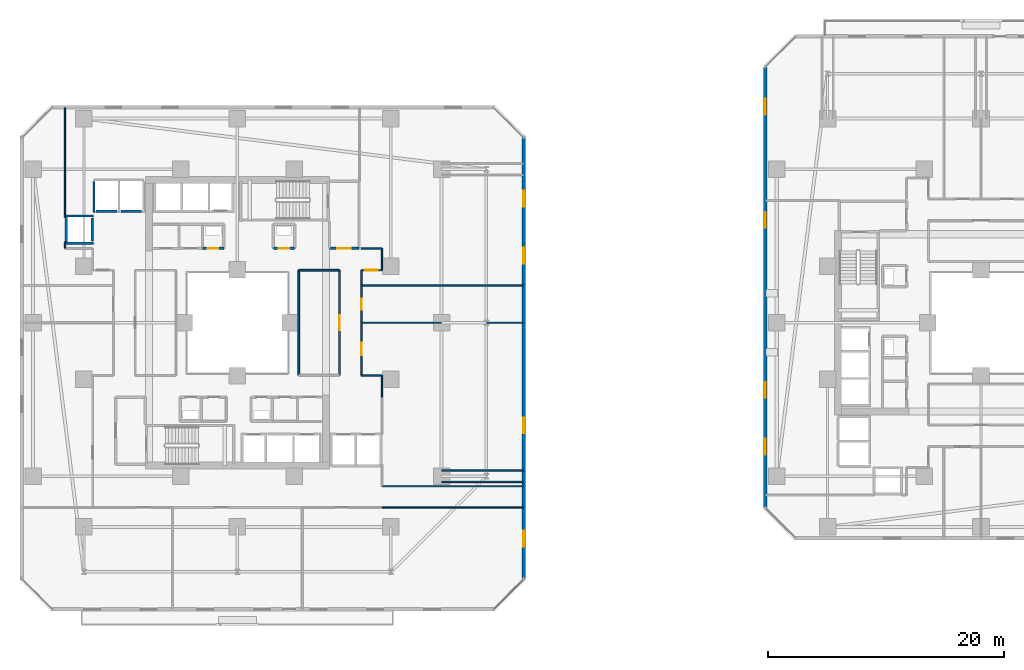
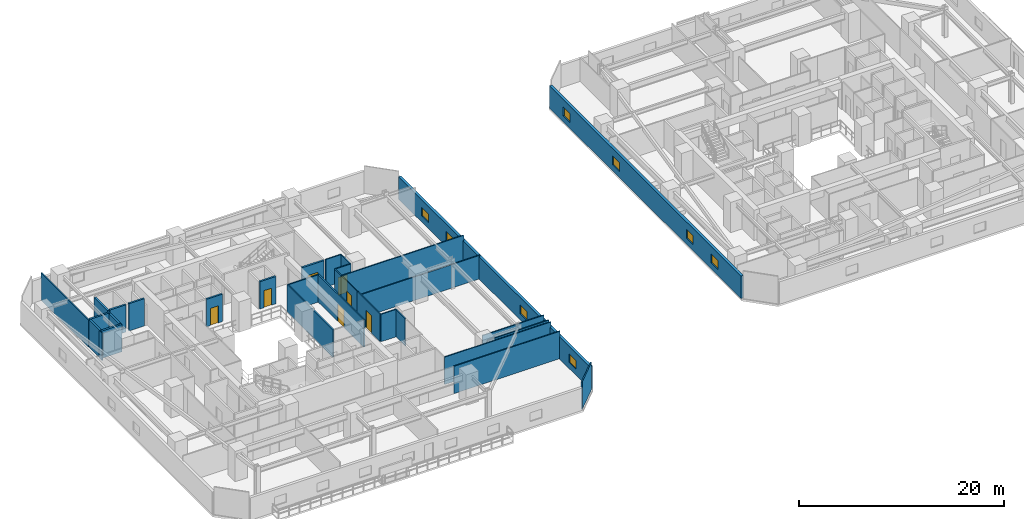
# One storey, part 23 of 36: 32 walls, 8 windows, 7 doors, 15 openings.
"""IFC4 building model written with IfcOpenShell, lengths in metres."""

import ifcopenshell
import ifcopenshell.guid

model = None  # the IFC model being written
_history = None  # IfcOwnerHistory: only IFC2X3 demands one
_inside = {}  # id of a spatial element -> (the spatial element, [elements in it])
_under = {}  # id of a project, library or spatial element -> (it, [spatial elements below it])
_declared = {}  # id of a project -> (the project, [libraries it declares])
_typed = {}  # id of a type object -> (the type object, [elements of that type])
_made_of = {}  # id of a material, layer set ... -> (it, [elements and type objects made of it])


def new_model(schema):
    """Start an empty IFC model of exactly this schema.

    Asked for "IFC4X3", IfcOpenShell would pick the latest addendum, in which some entities
    have other attributes; the version numbers below select the first issue.
    IFC2X3 requires an IfcOwnerHistory on every rooted entity: one is made here for all.
    """
    global model, _history
    if schema == "IFC4X3":
        model = ifcopenshell.file(schema_version=(4, 3, 0, 0))
    else:
        model = ifcopenshell.file(schema=schema)
    _inside.clear()
    _under.clear()
    _declared.clear()
    _typed.clear()
    _made_of.clear()
    _history = None
    if model.schema == "IFC2X3":
        org = make("IfcOrganization", Name="unknown")
        user = make(
            "IfcPersonAndOrganization",
            ThePerson=make("IfcPerson", FamilyName="unknown"),
            TheOrganization=org,
        )
        app = make(
            "IfcApplication",
            ApplicationDeveloper=org,
            Version="unknown",
            ApplicationFullName="unknown",
            ApplicationIdentifier="unknown",
        )
        _history = make(
            "IfcOwnerHistory",
            OwningUser=user,
            OwningApplication=app,
            ChangeAction="ADDED",
            CreationDate=0,
        )
    return model


def make(cls, **values):
    """One entity of the class cls with the attributes given. An attribute that is None is left unset."""
    return model.create_entity(
        cls, **{name: value for name, value in values.items() if value is not None}
    )


def rooted(cls, **values):
    """An entity with a GlobalId (a new one), such as an element, a storey or a relation."""
    return make(cls, GlobalId=ifcopenshell.guid.new(), OwnerHistory=_history, **values)


def si_unit(unit_type, name, prefix=None):
    """IfcSIUnit, for example si_unit("LENGTHUNIT", "METRE", prefix="MILLI")."""
    return make("IfcSIUnit", UnitType=unit_type, Prefix=prefix, Name=name)


def assignment(units):
    """IfcUnitAssignment: the units of a project."""
    return None if units is None else make("IfcUnitAssignment", Units=units)


def point(xyz):
    """IfcCartesianPoint."""
    return None if xyz is None else make("IfcCartesianPoint", Coordinates=xyz)


def direction(xyz):
    """IfcDirection."""
    return None if xyz is None else make("IfcDirection", DirectionRatios=xyz)


def frame(location, z_axis=None, x_axis=None):
    """IfcAxis2Placement3D, a coordinate frame: its origin and axes. An axis left out is left unset."""
    return make(
        "IfcAxis2Placement3D",
        Location=point(location),
        Axis=direction(z_axis),
        RefDirection=direction(x_axis),
    )


def frame_2d(location, x_axis=None):
    """IfcAxis2Placement2D, a coordinate frame in the plane: its origin and x axis."""
    return make(
        "IfcAxis2Placement2D", Location=point(location), RefDirection=direction(x_axis)
    )


def origin():
    """The frame at (0, 0, 0) with its axes left unset."""
    return frame((0.0, 0.0, 0.0))


def place(relative_to, where):
    """IfcLocalPlacement: puts the frame where relative to a parent placement (None: the world)."""
    return make(
        "IfcLocalPlacement", PlacementRelTo=relative_to, RelativePlacement=where
    )


def context(
    kind, dimensions, precision=None, world=None, true_north=None, identifier=None
):
    """IfcGeometricRepresentationContext, for example the 3D "Model" context."""
    return make(
        "IfcGeometricRepresentationContext",
        ContextIdentifier=identifier,
        ContextType=kind,
        CoordinateSpaceDimension=dimensions,
        Precision=precision,
        WorldCoordinateSystem=world,
        TrueNorth=true_north,
    )


def subcontext(parent, identifier, kind, view, scale=None):
    """IfcGeometricRepresentationSubContext, for example "Body" below "Model"."""
    return make(
        "IfcGeometricRepresentationSubContext",
        ContextIdentifier=identifier,
        ContextType=kind,
        ParentContext=parent,
        TargetScale=scale,
        TargetView=view,
    )


def project(units=None, contexts=None):
    """IfcProject with its units and contexts."""
    return rooted(
        "IfcProject",
        Name="project",
        RepresentationContexts=contexts,
        UnitsInContext=assignment(units),
    )


def spatial(cls, under=None, at=None, **own):
    """A site, building, storey or space (cls), placed at a placement, below another one or the project."""
    s = rooted(cls, ObjectPlacement=at, **own)
    if under is not None:
        _under.setdefault(under.id(), (under, []))[1].append(s)
    return s


def profile(cls, at=None, kind="AREA", **sizes):
    """A parametric profile (cls). Its sizes go by their IFC names, for example OverallWidth=200.0."""
    return make(cls, ProfileType=kind, Position=at, **sizes)


def rectangle(**sizes):
    """IfcRectangleProfileDef."""
    return profile("IfcRectangleProfileDef", **sizes)


def extrude(swept, where, along, depth):
    """IfcExtrudedAreaSolid: the profile swept, set in the frame where, extruded along a direction by depth."""
    return make(
        "IfcExtrudedAreaSolid",
        SweptArea=swept,
        Position=where,
        ExtrudedDirection=direction(along),
        Depth=depth,
    )


def shape(context_of_items, identifier, shape_type, items):
    """IfcShapeRepresentation: the items that make up one representation, for example the "Body"."""
    return make(
        "IfcShapeRepresentation",
        ContextOfItems=context_of_items,
        RepresentationIdentifier=identifier,
        RepresentationType=shape_type,
        Items=items,
    )


def material(Name=None, Category=None):
    """IfcMaterial."""
    return make("IfcMaterial", Name=Name, Category=Category)


def layer(
    of_material, thickness, ventilated=None, Name=None, Category=None, Priority=None
):
    """IfcMaterialLayer: one layer of a wall or slab, of a material (None: an air gap)."""
    return make(
        "IfcMaterialLayer",
        Material=of_material,
        LayerThickness=thickness,
        IsVentilated=ventilated,
        Name=Name,
        Category=Category,
        Priority=Priority,
    )


def layer_set(layers, Name=None):
    """IfcMaterialLayerSet."""
    return make("IfcMaterialLayerSet", MaterialLayers=layers, LayerSetName=Name)


def made_of(thing, what):
    """Note that an element or type object is made of a material, layer set ...; save() writes the relation."""
    if what is not None:
        _made_of.setdefault(what.id(), (what, []))[1].append(thing)
    return thing


def type_object(cls, material=None, **own):
    """A type object (cls), such as IfcWallType, which elements share."""
    return made_of(rooted(cls, **own), material)


def element(
    cls,
    number,
    at=None,
    inside=None,
    cuts=None,
    type_object=None,
    material=None,
    context=None,
    identifier="Body",
    shape_type=None,
    held_by="IfcProductDefinitionShape",
    body=None,
    shapes=None,
    **own,
):
    """One element of the class cls, such as IfcWall. Its Tag is "e" and its number.

    at: its placement. inside: the storey or other place that contains it. cuts: it is an
    opening in that element (IfcRelVoidsElement). A single representation is given by context,
    identifier, shape_type and body (its items); several are given by shapes. held_by: the class
    of the entity that holds the representations. save() writes the other relations.
    """
    e = rooted(cls, Tag="e%d" % number, ObjectPlacement=at, **own)
    if body is not None:
        shapes = [shape(context, identifier, shape_type, body)]
    if shapes is not None:
        e.Representation = make(held_by, Representations=shapes)
    if inside is not None:
        _inside.setdefault(inside.id(), (inside, []))[1].append(e)
    if cuts is not None:
        rooted(
            "IfcRelVoidsElement", RelatingBuildingElement=cuts, RelatedOpeningElement=e
        )
    if type_object is not None:
        _typed.setdefault(type_object.id(), (type_object, []))[1].append(e)
    return made_of(e, material)


def fill(opening, filler):
    """IfcRelFillsElement: the door or window that sits in an opening."""
    return rooted(
        "IfcRelFillsElement",
        RelatingOpeningElement=opening,
        RelatedBuildingElement=filler,
    )


def aggregate(whole, parts):
    """IfcRelAggregates: a whole, such as a stair, and the parts it consists of."""
    return rooted("IfcRelAggregates", RelatingObject=whole, RelatedObjects=parts)


def save(model, path):
    """Write the relations noted so far, then the file.

    IfcRelAggregates (storeys below a building ...), IfcRelContainedInSpatialStructure (elements
    in a storey), IfcRelDefinesByType, IfcRelAssociatesMaterial and IfcRelDeclares: one each for
    every whole, place, type object, material and project.
    """
    for whole, parts in _under.values():
        aggregate(whole, parts)
    for where, things in _inside.values():
        rooted(
            "IfcRelContainedInSpatialStructure",
            RelatedElements=things,
            RelatingStructure=where,
        )
    for kind, things in _typed.values():
        rooted("IfcRelDefinesByType", RelatedObjects=things, RelatingType=kind)
    for what, things in _made_of.values():
        rooted("IfcRelAssociatesMaterial", RelatedObjects=things, RelatingMaterial=what)
    for by, libraries in _declared.values():
        rooted("IfcRelDeclares", RelatingContext=by, RelatedDefinitions=libraries)
    model.write(path)


model = new_model("IFC4")

# Units and contexts
model_context = context("Model", 3, precision=1e-05, world=origin(), true_north=direction((0.0, 1.0)))
body_context = subcontext(model_context, "Body", "Model", "MODEL_VIEW")
ifc_project = project(units=[si_unit("LENGTHUNIT", "METRE"), si_unit("AREAUNIT", "SQUARE_METRE"), si_unit("VOLUMEUNIT", "CUBIC_METRE"), si_unit("PLANEANGLEUNIT", "RADIAN"), si_unit("MASSUNIT", "GRAM", prefix="KILO")], contexts=[model_context])

# Site, building, storey
site_placement = place(None, origin())
site = spatial("IfcSite", under=ifc_project, at=site_placement, CompositionType="ELEMENT")
building_placement = place(site_placement, origin())
building = spatial("IfcBuilding", under=site, at=building_placement, Name="Thornwick Lancets Civic Towers", CompositionType="ELEMENT")
storey_placement = place(building_placement, frame((0.0, 0.0, 68.10009765625)))
storey = spatial("IfcBuildingStorey", under=building, at=storey_placement, Name="L17", CompositionType="ELEMENT", Elevation=68.10009765625)

# Walls
ifc_material_1 = material(Name="Concrete blockwork C40/50", Category="masonry")
ifc_layer_1 = layer(ifc_material_1, 0.199951171875, Name="Concrete blockwork C40/50")
ifc_layer_set_1 = layer_set([ifc_layer_1], Name="Concrete blockwork C40/50")
wall_type_1 = type_object("IfcWallType", Name="WALL_COMP_200", PredefinedType="STANDARD", material=ifc_layer_set_1)
wall_1_placement = place(storey_placement, frame((17.3701171875, 36.449951171875, 0.0), z_axis=(0.0, 0.0, 1.0), x_axis=(-1.0, 0.0, 0.0)))
element("IfcWall", 1, at=wall_1_placement, inside=storey, type_object=wall_type_1, Name="L17 Hoistway Front Wall PL-AM1", PredefinedType="STANDARD", context=body_context, shape_type="SweptSolid", body=[
    extrude(rectangle(XDim=1.740234375, YDim=0.199951171875, at=frame_2d((0.8701171875, 0.0))), origin(), (0.0, 0.0, 1.0), 3.260009765625),
])
wall_2_placement = place(storey_placement, frame((15.320068359375, 36.449951171875, 0.0), z_axis=(0.0, 0.0, 1.0), x_axis=(-1.0, 0.0, 0.0)))
element("IfcWall", 2, at=wall_2_placement, inside=storey, type_object=wall_type_1, Name="L17 Hoistway Front Wall PL-AM2", PredefinedType="STANDARD", context=body_context, shape_type="SweptSolid", body=[
    extrude(rectangle(XDim=1.7900390625, YDim=0.199951171875, at=frame_2d((0.89501953125, 0.0))), origin(), (0.0, 0.0, 1.0), 3.260009765625),
])
wall_3_placement = place(storey_placement, frame((13.199951171875, 33.929931640625, 0.0), z_axis=(0.0, 0.0, 1.0), x_axis=(0.0, 1.0, 0.0)))
element("IfcWall", 3, at=wall_3_placement, inside=storey, type_object=wall_type_1, Name="L17 Hoistway Front Wall PL-AM3", PredefinedType="STANDARD", context=body_context, shape_type="SweptSolid", body=[
    extrude(rectangle(XDim=1.940185546875, YDim=0.199951171875, at=frame_2d((0.97021484375, 0.0))), origin(), (0.0, 0.0, 1.0), 3.260009765625),
])
wall_4_placement = place(storey_placement, frame((13.35009765625, 36.35205078125, 0.0), z_axis=(0.0, 0.0, 1.0), x_axis=(0.0, 1.0, 0.0)))
element("IfcWall", 4, at=wall_4_placement, inside=storey, type_object=wall_type_1, Name="L17 Hoistway Shaft Wall PL-AM2 W", PredefinedType="STANDARD", context=body_context, shape_type="SweptSolid", body=[
    extrude(rectangle(XDim=2.635986328125, YDim=0.199951171875, at=frame_2d((1.31787109375, 0.0))), origin(), (0.0, 0.0, 1.0), 3.260009765625),
])
for number, where, z_axis, x_axis, name in (
    (5, (11.001953125, 36.050048828125, 0.0), (0.0, 0.0, 1.0), (1.0, 0.0, 0.0), "L17 Hoistway Shaft Wall PL-AM3 N"),
    (6, (11.001953125, 33.75, 0.0), (0.0, 0.0, 1.0), (1.0, 0.0, 0.0), "L17 Hoistway Shaft Wall PL-AM3 S"),
):
    element("IfcWall", number, at=place(storey_placement, frame(where, z_axis=z_axis, x_axis=x_axis)), inside=storey, type_object=wall_type_1, Name=name, PredefinedType="STANDARD", context=body_context, shape_type="SweptSolid", body=[
        extrude(rectangle(XDim=2.296142578125, YDim=0.199951171875, at=frame_2d((1.14794921875, 0.0))), origin(), (0.0, 0.0, 1.0), 3.260009765625),
    ])
wall_5_placement = place(storey_placement, frame((11.0, 33.862060546875, 0.0), z_axis=(0.0, 0.0, 1.0), x_axis=(0.0, 1.0, 0.0)))
element("IfcWall", 7, at=wall_5_placement, inside=storey, type_object=wall_type_1, Name="L17 Hoistway Shaft Wall PL-AM3 W", PredefinedType="STANDARD", context=body_context, shape_type="SweptSolid", body=[
    extrude(rectangle(XDim=2.075927734375, YDim=0.199951171875, at=frame_2d((1.0380859375, 0.0))), origin(), (0.0, 0.0, 1.0), 3.260009765625),
])

# Wall, opening, door
wall_6_placement = place(storey_placement, frame((33.300048828125, 33.300048828125, 0.0), z_axis=(0.0, 0.0, 1.0), x_axis=(1.0, 0.0, 0.0)))
wall_6 = element("IfcWall", 8, at=wall_6_placement, inside=storey, type_object=wall_type_1, Name="L17 Partition L17-A-FFLOB2 E1", PredefinedType="STANDARD", context=body_context, shape_type="SweptSolid", body=[
    extrude(rectangle(XDim=2.5, YDim=0.199951171875, at=frame_2d((1.25, 0.0))), origin(), (0.0, 0.0, 1.0), 3.260009765625),
])
opening_1_placement = place(wall_6_placement, frame((0.675048828125, 0.0, 0.0)))
opening_1 = element("IfcOpeningElement", 9, at=opening_1_placement, cuts=wall_6, Name="Opening D-L17-0802", PredefinedType="OPENING", context=body_context, shape_type="SweptSolid", body=[
    extrude(rectangle(XDim=1.14990234375, YDim=2.10009765625, at=frame_2d((0.574951171875, 1.050048828125))), frame((0.0, 0.10986328125, 0.0), z_axis=(0.0, -1.0, 0.0), x_axis=(1.0, 0.0, 0.0)), (0.0, 0.0, 1.0), 0.219970703125),
])
ifc_material_2 = material(Name="Glazed fire-resisting steel", Category="steel")
door_type_1 = type_object("IfcDoorType", Name="DOOR_LOBBY_FD60", OperationType="NOTDEFINED", PredefinedType="DOOR", material=ifc_material_2)
door_1_placement = place(opening_1_placement, origin())
door_1 = element("IfcDoor", 10, at=door_1_placement, inside=storey, type_object=door_type_1, Name="L17 North Firefighting Lobby 2 Door", OperationType="SINGLE_SWING_LEFT", OverallHeight=2.10009765625, OverallWidth=1.14990234375, PredefinedType="DOOR", context=body_context, shape_type="SweptSolid", body=[
    extrude(rectangle(XDim=1.14990234375, YDim=2.10009765625, at=frame_2d((0.574951171875, 1.050048828125))), frame((0.0, 0.02490234375, 0.0), z_axis=(0.0, -1.0, 0.0), x_axis=(1.0, 0.0, 0.0)), (0.0, 0.0, 1.0), 0.050048828125),
])
fill(opening_1, door_1)

wall_7_placement = place(storey_placement, frame((22.550048828125, 33.300048828125, 0.0), z_axis=(0.0, 0.0, 1.0), x_axis=(1.0, 0.0, 0.0)))
wall_7 = element("IfcWall", 11, at=wall_7_placement, inside=storey, type_object=wall_type_1, Name="L17 Partition L17-A-DUCT2 E1", PredefinedType="STANDARD", context=body_context, shape_type="SweptSolid", body=[
    extrude(rectangle(XDim=1.800048828125, YDim=0.199951171875, at=frame_2d((0.89990234375, 0.0))), origin(), (0.0, 0.0, 1.0), 3.260009765625),
])
opening_2_placement = place(wall_7_placement, frame((0.4599609375, 0.0, 0.0)))
opening_2 = element("IfcOpeningElement", 12, at=opening_2_placement, cuts=wall_7, Name="Opening D-L17-0805", PredefinedType="OPENING", context=body_context, shape_type="SweptSolid", body=[
    extrude(rectangle(XDim=0.8798828125, YDim=2.0400390625, at=frame_2d((0.43994140625, 1.02001953125))), frame((0.0, 0.10986328125, 0.0), z_axis=(0.0, -1.0, 0.0), x_axis=(1.0, 0.0, 0.0)), (0.0, 0.0, 1.0), 0.219970703125),
])
ifc_material_3 = material(Name="Steel riser access doorset", Category="steel")
door_type_2 = type_object("IfcDoorType", Name="DOOR_RISER_850", OperationType="NOTDEFINED", PredefinedType="DOOR", material=ifc_material_3)
door_2_placement = place(opening_2_placement, origin())
door_2 = element("IfcDoor", 13, at=door_2_placement, inside=storey, type_object=door_type_2, Name="L17 North Service Duct 2 Door", OperationType="SINGLE_SWING_RIGHT", OverallHeight=2.0400390625, OverallWidth=0.8798828125, PredefinedType="DOOR", context=body_context, shape_type="SweptSolid", body=[
    extrude(rectangle(XDim=0.8798828125, YDim=2.0400390625, at=frame_2d((0.43994140625, 1.02001953125))), frame((0.0, 0.02490234375, 0.0), z_axis=(0.0, -1.0, 0.0), x_axis=(1.0, 0.0, 0.0)), (0.0, 0.0, 1.0), 0.050048828125),
])
fill(opening_2, door_2)

wall_8_placement = place(storey_placement, frame((28.550048828125, 33.300048828125, 0.0), z_axis=(0.0, 0.0, 1.0), x_axis=(1.0, 0.0, 0.0)))
wall_8 = element("IfcWall", 14, at=wall_8_placement, inside=storey, type_object=wall_type_1, Name="L17 Partition L17-A-RISER2 E1", PredefinedType="STANDARD", context=body_context, shape_type="SweptSolid", body=[
    extrude(rectangle(XDim=1.800048828125, YDim=0.199951171875, at=frame_2d((0.89990234375, 0.0))), origin(), (0.0, 0.0, 1.0), 3.260009765625),
])
opening_3_placement = place(wall_8_placement, frame((0.4599609375, 0.0, 0.0)))
opening_3 = element("IfcOpeningElement", 15, at=opening_3_placement, cuts=wall_8, Name="Opening D-L17-0806", PredefinedType="OPENING", context=body_context, shape_type="SweptSolid", body=[
    extrude(rectangle(XDim=0.8798828125, YDim=2.0400390625, at=frame_2d((0.43994140625, 1.02001953125))), frame((0.0, 0.10986328125, 0.0), z_axis=(0.0, -1.0, 0.0), x_axis=(1.0, 0.0, 0.0)), (0.0, 0.0, 1.0), 0.219970703125),
])
door_3_placement = place(opening_3_placement, origin())
door_3 = element("IfcDoor", 16, at=door_3_placement, inside=storey, type_object=door_type_2, Name="L17 North Service Riser 2 Door", OperationType="SINGLE_SWING_LEFT", OverallHeight=2.0400390625, OverallWidth=0.8798828125, PredefinedType="DOOR", context=body_context, shape_type="SweptSolid", body=[
    extrude(rectangle(XDim=0.8798828125, YDim=2.0400390625, at=frame_2d((0.43994140625, 1.02001953125))), frame((0.0, 0.02490234375, 0.0), z_axis=(0.0, -1.0, 0.0), x_axis=(1.0, 0.0, 0.0)), (0.0, 0.0, 1.0), 0.050048828125),
])
fill(opening_3, door_3)

# Wall, openings, windows
ifc_material_4 = material(Name="Insulated russet terracotta rainscreen on concrete C40/50", Category="masonry")
ifc_layer_2 = layer(ifc_material_4, 0.300048828125, Name="Insulated russet terracotta rainscreen on concrete C40/50")
ifc_layer_set_2 = layer_set([ifc_layer_2], Name="Insulated russet terracotta rainscreen on concrete C40/50")
wall_type_2 = type_object("IfcWallType", Name="WALL_EXT_RUSSET_300", PredefinedType="STANDARD", material=ifc_layer_set_2)
wall_9_placement = place(storey_placement, frame((49.764892578125, 5.31884765625, 0.0), z_axis=(0.0, 0.0, 1.0), x_axis=(0.0, 1.0, 0.0)))
wall_9 = element("IfcWall", 17, at=wall_9_placement, inside=storey, type_object=wall_type_2, Name="L17 Tower A Terracotta Facade Wall E2", PredefinedType="STANDARD", context=body_context, shape_type="SweptSolid", body=[
    extrude(rectangle(XDim=37.3623046875, YDim=0.300048828125, at=frame_2d((18.68115234375, 0.0))), origin(), (0.0, 0.0, 1.0), 2.659912109375),
])
opening_4_placement = place(wall_9_placement, frame((2.699951171875, 0.0, 0.719970703125)))
opening_4 = element("IfcOpeningElement", 18, at=opening_4_placement, cuts=wall_9, Name="Opening WL-03", PredefinedType="OPENING", context=body_context, shape_type="SweptSolid", body=[
    extrude(rectangle(XDim=1.35009765625, YDim=1.050048828125, at=frame_2d((0.675048828125, 0.52490234375))), frame((0.0, 0.16015625, 0.0), z_axis=(0.0, -1.0, 0.0), x_axis=(1.0, 0.0, 0.0)), (0.0, 0.0, 1.0), 0.320068359375),
])
opening_5_placement = place(wall_9_placement, frame((12.300048828125, 0.0, 0.719970703125)))
opening_5 = element("IfcOpeningElement", 19, at=opening_5_placement, cuts=wall_9, Name="Opening WL-03", PredefinedType="OPENING", context=body_context, shape_type="SweptSolid", body=[
    extrude(rectangle(XDim=1.35009765625, YDim=1.050048828125, at=frame_2d((0.675048828125, 0.52490234375))), frame((0.0, 0.16015625, 0.0), z_axis=(0.0, -1.0, 0.0), x_axis=(1.0, 0.0, 0.0)), (0.0, 0.0, 1.0), 0.320068359375),
])
opening_6_placement = place(wall_9_placement, frame((26.699951171875, 0.0, 0.719970703125)))
opening_6 = element("IfcOpeningElement", 20, at=opening_6_placement, cuts=wall_9, Name="Opening WL-03", PredefinedType="OPENING", context=body_context, shape_type="SweptSolid", body=[
    extrude(rectangle(XDim=1.35009765625, YDim=1.050048828125, at=frame_2d((0.675048828125, 0.52490234375))), frame((0.0, 0.16015625, 0.0), z_axis=(0.0, -1.0, 0.0), x_axis=(1.0, 0.0, 0.0)), (0.0, 0.0, 1.0), 0.320068359375),
])
opening_7_placement = place(wall_9_placement, frame((31.5, 0.0, 0.719970703125)))
opening_7 = element("IfcOpeningElement", 21, at=opening_7_placement, cuts=wall_9, Name="Opening WL-03", PredefinedType="OPENING", context=body_context, shape_type="SweptSolid", body=[
    extrude(rectangle(XDim=1.35009765625, YDim=1.050048828125, at=frame_2d((0.675048828125, 0.52490234375))), frame((0.0, 0.16015625, 0.0), z_axis=(0.0, -1.0, 0.0), x_axis=(1.0, 0.0, 0.0)), (0.0, 0.0, 1.0), 0.320068359375),
])
ifc_material_5 = material(Name="Clear low-e double glazing clerestory lancet", Category="glass")
window_type = type_object("IfcWindowType", Name="WIN_LANCET_1350", PartitioningType="SINGLE_PANEL", PredefinedType="WINDOW", material=ifc_material_5)
window_1_placement = place(opening_4_placement, origin())
window_1 = element("IfcWindow", 22, at=window_1_placement, inside=storey, type_object=window_type, Name="L17 Tower A Staggered Lancet Window E2-1", OverallHeight=1.050048828125, OverallWidth=1.35009765625, PartitioningType="SINGLE_PANEL", PredefinedType="WINDOW", context=body_context, shape_type="SweptSolid", body=[
    extrude(rectangle(XDim=1.35009765625, YDim=1.050048828125, at=frame_2d((0.675048828125, 0.52490234375))), frame((0.0, 0.030029296875, 0.0), z_axis=(0.0, -1.0, 0.0), x_axis=(1.0, 0.0, 0.0)), (0.0, 0.0, 1.0), 0.06005859375),
])
fill(opening_4, window_1)
window_2_placement = place(opening_5_placement, origin())
window_2 = element("IfcWindow", 23, at=window_2_placement, inside=storey, type_object=window_type, Name="L17 Tower A Staggered Lancet Window E2-2", OverallHeight=1.050048828125, OverallWidth=1.35009765625, PartitioningType="SINGLE_PANEL", PredefinedType="WINDOW", context=body_context, shape_type="SweptSolid", body=[
    extrude(rectangle(XDim=1.35009765625, YDim=1.050048828125, at=frame_2d((0.675048828125, 0.52490234375))), frame((0.0, 0.030029296875, 0.0), z_axis=(0.0, -1.0, 0.0), x_axis=(1.0, 0.0, 0.0)), (0.0, 0.0, 1.0), 0.06005859375),
])
fill(opening_5, window_2)
window_3_placement = place(opening_6_placement, origin())
window_3 = element("IfcWindow", 24, at=window_3_placement, inside=storey, type_object=window_type, Name="L17 Tower A Staggered Lancet Window E2-3", OverallHeight=1.050048828125, OverallWidth=1.35009765625, PartitioningType="SINGLE_PANEL", PredefinedType="WINDOW", context=body_context, shape_type="SweptSolid", body=[
    extrude(rectangle(XDim=1.35009765625, YDim=1.050048828125, at=frame_2d((0.675048828125, 0.52490234375))), frame((0.0, 0.030029296875, 0.0), z_axis=(0.0, -1.0, 0.0), x_axis=(1.0, 0.0, 0.0)), (0.0, 0.0, 1.0), 0.06005859375),
])
fill(opening_6, window_3)
window_4_placement = place(opening_7_placement, origin())
window_4 = element("IfcWindow", 25, at=window_4_placement, inside=storey, type_object=window_type, Name="L17 Tower A Staggered Lancet Window E2-4", OverallHeight=1.050048828125, OverallWidth=1.35009765625, PartitioningType="SINGLE_PANEL", PredefinedType="WINDOW", context=body_context, shape_type="SweptSolid", body=[
    extrude(rectangle(XDim=1.35009765625, YDim=1.050048828125, at=frame_2d((0.675048828125, 0.52490234375))), frame((0.0, 0.030029296875, 0.0), z_axis=(0.0, -1.0, 0.0), x_axis=(1.0, 0.0, 0.0)), (0.0, 0.0, 1.0), 0.06005859375),
])
fill(opening_7, window_4)

wall_10_placement = place(storey_placement, frame((70.235107421875, 48.68115234375, 0.0), z_axis=(0.0, 0.0, 1.0), x_axis=(0.0, -1.0, 0.0)))
wall_10 = element("IfcWall", 26, at=wall_10_placement, inside=storey, type_object=wall_type_2, Name="L17 Tower B Terracotta Facade Wall E6", PredefinedType="STANDARD", context=body_context, shape_type="SweptSolid", body=[
    extrude(rectangle(XDim=37.3623046875, YDim=0.300048828125, at=frame_2d((18.68115234375, 0.0))), origin(), (0.0, 0.0, 1.0), 2.659912109375),
])
opening_8_placement = place(wall_10_placement, frame((2.699951171875, 0.0, 0.719970703125)))
opening_8 = element("IfcOpeningElement", 27, at=opening_8_placement, cuts=wall_10, Name="Opening WL-03", PredefinedType="OPENING", context=body_context, shape_type="SweptSolid", body=[
    extrude(rectangle(XDim=1.35009765625, YDim=1.050048828125, at=frame_2d((0.675048828125, 0.52490234375))), frame((0.0, 0.16015625, 0.0), z_axis=(0.0, -1.0, 0.0), x_axis=(1.0, 0.0, 0.0)), (0.0, 0.0, 1.0), 0.320068359375),
])
opening_9_placement = place(wall_10_placement, frame((12.300048828125, 0.0, 0.719970703125)))
opening_9 = element("IfcOpeningElement", 28, at=opening_9_placement, cuts=wall_10, Name="Opening WL-03", PredefinedType="OPENING", context=body_context, shape_type="SweptSolid", body=[
    extrude(rectangle(XDim=1.35009765625, YDim=1.050048828125, at=frame_2d((0.675048828125, 0.52490234375))), frame((0.0, 0.16015625, 0.0), z_axis=(0.0, -1.0, 0.0), x_axis=(1.0, 0.0, 0.0)), (0.0, 0.0, 1.0), 0.320068359375),
])
opening_10_placement = place(wall_10_placement, frame((26.699951171875, 0.0, 0.719970703125)))
opening_10 = element("IfcOpeningElement", 29, at=opening_10_placement, cuts=wall_10, Name="Opening WL-03", PredefinedType="OPENING", context=body_context, shape_type="SweptSolid", body=[
    extrude(rectangle(XDim=1.35009765625, YDim=1.050048828125, at=frame_2d((0.675048828125, 0.52490234375))), frame((0.0, 0.16015625, 0.0), z_axis=(0.0, -1.0, 0.0), x_axis=(1.0, 0.0, 0.0)), (0.0, 0.0, 1.0), 0.320068359375),
])
opening_11_placement = place(wall_10_placement, frame((31.5, 0.0, 0.719970703125)))
opening_11 = element("IfcOpeningElement", 30, at=opening_11_placement, cuts=wall_10, Name="Opening WL-03", PredefinedType="OPENING", context=body_context, shape_type="SweptSolid", body=[
    extrude(rectangle(XDim=1.35009765625, YDim=1.050048828125, at=frame_2d((0.675048828125, 0.52490234375))), frame((0.0, 0.16015625, 0.0), z_axis=(0.0, -1.0, 0.0), x_axis=(1.0, 0.0, 0.0)), (0.0, 0.0, 1.0), 0.320068359375),
])
window_5_placement = place(opening_8_placement, origin())
window_5 = element("IfcWindow", 31, at=window_5_placement, inside=storey, type_object=window_type, Name="L17 Tower B Staggered Lancet Window E6-1", OverallHeight=1.050048828125, OverallWidth=1.35009765625, PartitioningType="SINGLE_PANEL", PredefinedType="WINDOW", context=body_context, shape_type="SweptSolid", body=[
    extrude(rectangle(XDim=1.35009765625, YDim=1.050048828125, at=frame_2d((0.675048828125, 0.52490234375))), frame((0.0, 0.030029296875, 0.0), z_axis=(0.0, -1.0, 0.0), x_axis=(1.0, 0.0, 0.0)), (0.0, 0.0, 1.0), 0.06005859375),
])
fill(opening_8, window_5)
window_6_placement = place(opening_9_placement, origin())
window_6 = element("IfcWindow", 32, at=window_6_placement, inside=storey, type_object=window_type, Name="L17 Tower B Staggered Lancet Window E6-2", OverallHeight=1.050048828125, OverallWidth=1.35009765625, PartitioningType="SINGLE_PANEL", PredefinedType="WINDOW", context=body_context, shape_type="SweptSolid", body=[
    extrude(rectangle(XDim=1.35009765625, YDim=1.050048828125, at=frame_2d((0.675048828125, 0.52490234375))), frame((0.0, 0.030029296875, 0.0), z_axis=(0.0, -1.0, 0.0), x_axis=(1.0, 0.0, 0.0)), (0.0, 0.0, 1.0), 0.06005859375),
])
fill(opening_9, window_6)
window_7_placement = place(opening_10_placement, origin())
window_7 = element("IfcWindow", 33, at=window_7_placement, inside=storey, type_object=window_type, Name="L17 Tower B Staggered Lancet Window E6-3", OverallHeight=1.050048828125, OverallWidth=1.35009765625, PartitioningType="SINGLE_PANEL", PredefinedType="WINDOW", context=body_context, shape_type="SweptSolid", body=[
    extrude(rectangle(XDim=1.35009765625, YDim=1.050048828125, at=frame_2d((0.675048828125, 0.52490234375))), frame((0.0, 0.030029296875, 0.0), z_axis=(0.0, -1.0, 0.0), x_axis=(1.0, 0.0, 0.0)), (0.0, 0.0, 1.0), 0.06005859375),
])
fill(opening_10, window_7)
window_8_placement = place(opening_11_placement, origin())
window_8 = element("IfcWindow", 34, at=window_8_placement, inside=storey, type_object=window_type, Name="L17 Tower B Staggered Lancet Window E6-4", OverallHeight=1.050048828125, OverallWidth=1.35009765625, PartitioningType="SINGLE_PANEL", PredefinedType="WINDOW", context=body_context, shape_type="SweptSolid", body=[
    extrude(rectangle(XDim=1.35009765625, YDim=1.050048828125, at=frame_2d((0.675048828125, 0.52490234375))), frame((0.0, 0.030029296875, 0.0), z_axis=(0.0, -1.0, 0.0), x_axis=(1.0, 0.0, 0.0)), (0.0, 0.0, 1.0), 0.06005859375),
])
fill(opening_11, window_8)

# Walls
ifc_material_6 = material(Name="Acoustic gypsum board partition")
ifc_layer_3 = layer(ifc_material_6, 0.1201171875, Name="Acoustic gypsum board partition")
ifc_layer_set_3 = layer_set([ifc_layer_3], Name="Acoustic gypsum board partition")
wall_type_3 = type_object("IfcWallType", Name="WALL_PART_120", PredefinedType="PARTITIONING", material=ifc_layer_set_3)
wall_11_placement = place(storey_placement, frame((10.89990234375, 45.219970703125, 0.0), z_axis=(0.0, 0.0, 1.0), x_axis=(0.0, -1.0, 0.0)))
element("IfcWall", 35, at=wall_11_placement, inside=storey, type_object=wall_type_3, Name="L17 Partition L17-A-W3 E9", PredefinedType="PARTITIONING", context=body_context, shape_type="SweptSolid", body=[
    extrude(rectangle(XDim=9.281982421875, YDim=0.1201171875, at=frame_2d((4.64111328125, 0.0))), origin(), (0.0, 0.0, 1.0), 3.260009765625),
])
wall_12_placement = place(storey_placement, frame((10.89990234375, 33.862060546875, 0.0), z_axis=(0.0, 0.0, 1.0), x_axis=(0.0, -1.0, 0.0)))
element("IfcWall", 36, at=wall_12_placement, inside=storey, type_object=wall_type_3, Name="L17 Partition L17-A-W3 E9", PredefinedType="PARTITIONING", context=body_context, shape_type="SweptSolid", body=[
    extrude(rectangle(XDim=0.56201171875, YDim=0.1201171875, at=frame_2d((0.281005859375, 0.0))), origin(), (0.0, 0.0, 1.0), 3.260009765625),
])
wall_13_placement = place(storey_placement, frame((37.75, 20.699951171875, 0.0), z_axis=(0.0, 0.0, 1.0), x_axis=(0.0, 1.0, 0.0)))
element("IfcWall", 37, at=wall_13_placement, inside=storey, type_object=wall_type_3, Name="L17 Partition L17-A-E1 E2", PredefinedType="PARTITIONING", context=body_context, shape_type="SweptSolid", body=[
    extrude(rectangle(XDim=1.85009765625, YDim=0.1201171875, at=frame_2d((0.925048828125, 0.0))), origin(), (0.0, 0.0, 1.0), 3.260009765625),
])
wall_14_placement = place(storey_placement, frame((37.75, 22.550048828125, 0.0), z_axis=(0.0, 0.0, 1.0), x_axis=(-1.0, 0.0, 0.0)))
element("IfcWall", 38, at=wall_14_placement, inside=storey, type_object=wall_type_3, Name="L17 Partition L17-A-E1 E3", PredefinedType="PARTITIONING", context=body_context, shape_type="SweptSolid", body=[
    extrude(rectangle(XDim=1.75, YDim=0.1201171875, at=frame_2d((0.875, 0.0))), origin(), (0.0, 0.0, 1.0), 3.260009765625),
])

# Wall, opening, door
wall_15_placement = place(storey_placement, frame((36.0, 22.550048828125, 0.0), z_axis=(0.0, 0.0, 1.0), x_axis=(0.0, 1.0, 0.0)))
wall_15 = element("IfcWall", 39, at=wall_15_placement, inside=storey, type_object=wall_type_3, Name="L17 Partition L17-A-E1 E4", PredefinedType="PARTITIONING", context=body_context, shape_type="SweptSolid", body=[
    extrude(rectangle(XDim=4.449951171875, YDim=0.1201171875, at=frame_2d((2.22509765625, 0.0))), origin(), (0.0, 0.0, 1.0), 3.260009765625),
])
opening_12_placement = place(wall_15_placement, frame((1.699951171875, 0.0, 0.0)))
opening_12 = element("IfcOpeningElement", 40, at=opening_12_placement, cuts=wall_15, Name="Opening D-L17-0826", PredefinedType="OPENING", context=body_context, shape_type="SweptSolid", body=[
    extrude(rectangle(XDim=1.050048828125, YDim=2.10009765625, at=frame_2d((0.52490234375, 1.050048828125))), frame((0.0, 0.070068359375, 0.0), z_axis=(0.0, -1.0, 0.0), x_axis=(1.0, 0.0, 0.0)), (0.0, 0.0, 1.0), 0.14013671875),
])
ifc_material_7 = material(Name="Glazed European oak executive doorset")
door_type_3 = type_object("IfcDoorType", Name="DOOR_OFFICE_1050", OperationType="NOTDEFINED", PredefinedType="DOOR", material=ifc_material_7)
door_4_placement = place(opening_12_placement, origin())
door_4 = element("IfcDoor", 41, at=door_4_placement, inside=storey, type_object=door_type_3, Name="L17 Tower A Secretariat Open Office E1 Door", OperationType="SINGLE_SWING_LEFT", OverallHeight=2.10009765625, OverallWidth=1.050048828125, PredefinedType="DOOR", context=body_context, shape_type="SweptSolid", body=[
    extrude(rectangle(XDim=1.050048828125, YDim=2.10009765625, at=frame_2d((0.52490234375, 1.050048828125))), frame((0.0, 0.02490234375, 0.0), z_axis=(0.0, -1.0, 0.0), x_axis=(1.0, 0.0, 0.0)), (0.0, 0.0, 1.0), 0.050048828125),
])
fill(opening_12, door_4)

# Walls
wall_16_placement = place(storey_placement, frame((36.0, 27.0, 0.0), z_axis=(0.0, 0.0, 1.0), x_axis=(1.0, 0.0, 0.0)))
element("IfcWall", 42, at=wall_16_placement, inside=storey, type_object=wall_type_3, Name="L17 Partition L17-A-E1 E5", PredefinedType="PARTITIONING", context=body_context, shape_type="SweptSolid", body=[
    extrude(rectangle(XDim=13.719970703125, YDim=0.1201171875, at=frame_2d((6.85986328125, 0.0))), origin(), (0.0, 0.0, 1.0), 2.797607421875),
])
for number, where, z_axis, x_axis, name in (
    (43, (49.719970703125, 14.47998046875, 0.0), (0.0, 0.0, 1.0), (-1.0, 0.0, 0.0), "L17 Partition L17-A-E1 E7"),
    (44, (42.800048828125, 13.52001953125, 0.0), (0.0, 0.0, 1.0), (1.0, 0.0, 0.0), "L17 Partition L17-A-E1 E9"),
):
    element("IfcWall", number, at=place(storey_placement, frame(where, z_axis=z_axis, x_axis=x_axis)), inside=storey, type_object=wall_type_3, Name=name, PredefinedType="PARTITIONING", context=body_context, shape_type="SweptSolid", body=[
        extrude(rectangle(XDim=6.919921875, YDim=0.1201171875, at=frame_2d((3.4599609375, 0.0))), origin(), (0.0, 0.0, 1.0), 3.260009765625),
    ])
wall_17_placement = place(storey_placement, frame((49.719970703125, 13.14990234375, 0.0), z_axis=(0.0, 0.0, 1.0), x_axis=(-1.0, 0.0, 0.0)))
element("IfcWall", 45, at=wall_17_placement, inside=storey, type_object=wall_type_3, Name="L17 Partition L17-A-E1 E11", PredefinedType="PARTITIONING", context=body_context, shape_type="SweptSolid", body=[
    extrude(rectangle(XDim=11.969970703125, YDim=0.1201171875, at=frame_2d((5.98486328125, 0.0))), origin(), (0.0, 0.0, 1.0), 3.260009765625),
])

# Wall, opening, door
wall_18_placement = place(storey_placement, frame((36.0, 27.0, 0.0), z_axis=(0.0, 0.0, 1.0), x_axis=(0.0, 1.0, 0.0)))
wall_18 = element("IfcWall", 46, at=wall_18_placement, inside=storey, type_object=wall_type_3, Name="L17 Partition L17-A-E2 E1", PredefinedType="PARTITIONING", context=body_context, shape_type="SweptSolid", body=[
    extrude(rectangle(XDim=3.14990234375, YDim=0.1201171875, at=frame_2d((1.574951171875, 0.0))), origin(), (0.0, 0.0, 1.0), 3.260009765625),
])
opening_13_placement = place(wall_18_placement, frame((1.10009765625, 0.0, 0.0)))
opening_13 = element("IfcOpeningElement", 47, at=opening_13_placement, cuts=wall_18, Name="Opening D-L17-0827", PredefinedType="OPENING", context=body_context, shape_type="SweptSolid", body=[
    extrude(rectangle(XDim=0.949951171875, YDim=2.10009765625, at=frame_2d((0.47509765625, 1.050048828125))), frame((0.0, 0.070068359375, 0.0), z_axis=(0.0, -1.0, 0.0), x_axis=(1.0, 0.0, 0.0)), (0.0, 0.0, 1.0), 0.14013671875),
])
ifc_material_8 = material(Name="European oak acoustic doorset")
door_type_4 = type_object("IfcDoorType", Name="DOOR_OFFICE_950", OperationType="NOTDEFINED", PredefinedType="DOOR", material=ifc_material_8)
door_5_placement = place(opening_13_placement, origin())
door_5 = element("IfcDoor", 48, at=door_5_placement, inside=storey, type_object=door_type_4, Name="L17 Tower A Visitors Reception and Waiting Door", OperationType="SINGLE_SWING_RIGHT", OverallHeight=2.10009765625, OverallWidth=0.949951171875, PredefinedType="DOOR", context=body_context, shape_type="SweptSolid", body=[
    extrude(rectangle(XDim=0.949951171875, YDim=2.10009765625, at=frame_2d((0.47509765625, 1.050048828125))), frame((0.0, 0.02490234375, 0.0), z_axis=(0.0, -1.0, 0.0), x_axis=(1.0, 0.0, 0.0)), (0.0, 0.0, 1.0), 0.050048828125),
])
fill(opening_13, door_5)

# Wall
wall_19_placement = place(storey_placement, frame((36.0, 30.14990234375, 0.0), z_axis=(0.0, 0.0, 1.0), x_axis=(1.0, 0.0, 0.0)))
element("IfcWall", 49, at=wall_19_placement, inside=storey, type_object=wall_type_3, Name="L17 Partition L17-A-E2 E2", PredefinedType="PARTITIONING", context=body_context, shape_type="SweptSolid", body=[
    extrude(rectangle(XDim=13.719970703125, YDim=0.1201171875, at=frame_2d((6.85986328125, 0.0))), origin(), (0.0, 0.0, 1.0), 3.260009765625),
])

# Wall, opening, door
wall_20_placement = place(storey_placement, frame((36.0, 31.449951171875, 0.0), z_axis=(0.0, 0.0, 1.0), x_axis=(1.0, 0.0, 0.0)))
wall_20 = element("IfcWall", 50, at=wall_20_placement, inside=storey, type_object=wall_type_3, Name="L17 Partition L17-A-E3 E1", PredefinedType="PARTITIONING", context=body_context, shape_type="SweptSolid", body=[
    extrude(rectangle(XDim=1.75, YDim=0.1201171875, at=frame_2d((0.875, 0.0))), origin(), (0.0, 0.0, 1.0), 3.260009765625),
])
opening_14_placement = place(wall_20_placement, frame((0.35009765625, 0.0, 0.0)))
opening_14 = element("IfcOpeningElement", 51, at=opening_14_placement, cuts=wall_20, Name="Opening D-L17-0828", PredefinedType="OPENING", context=body_context, shape_type="SweptSolid", body=[
    extrude(rectangle(XDim=1.050048828125, YDim=2.10009765625, at=frame_2d((0.52490234375, 1.050048828125))), frame((0.0, 0.070068359375, 0.0), z_axis=(0.0, -1.0, 0.0), x_axis=(1.0, 0.0, 0.0)), (0.0, 0.0, 1.0), 0.14013671875),
])
door_6_placement = place(opening_14_placement, origin())
door_6 = element("IfcDoor", 52, at=door_6_placement, inside=storey, type_object=door_type_3, Name="L17 Tower A Civic Seminar Room Door", OperationType="SINGLE_SWING_LEFT", OverallHeight=2.10009765625, OverallWidth=1.050048828125, PredefinedType="DOOR", context=body_context, shape_type="SweptSolid", body=[
    extrude(rectangle(XDim=1.050048828125, YDim=2.10009765625, at=frame_2d((0.52490234375, 1.050048828125))), frame((0.0, 0.02490234375, 0.0), z_axis=(0.0, -1.0, 0.0), x_axis=(1.0, 0.0, 0.0)), (0.0, 0.0, 1.0), 0.050048828125),
])
fill(opening_14, door_6)

# Walls
wall_21_placement = place(storey_placement, frame((37.75, 31.449951171875, 0.0), z_axis=(0.0, 0.0, 1.0), x_axis=(0.0, 1.0, 0.0)))
element("IfcWall", 53, at=wall_21_placement, inside=storey, type_object=wall_type_3, Name="L17 Partition L17-A-E3 E2", PredefinedType="PARTITIONING", context=body_context, shape_type="SweptSolid", body=[
    extrude(rectangle(XDim=1.85009765625, YDim=0.1201171875, at=frame_2d((0.925048828125, 0.0))), origin(), (0.0, 0.0, 1.0), 3.260009765625),
])
wall_22_placement = place(storey_placement, frame((37.75, 33.300048828125, 0.0), z_axis=(0.0, 0.0, 1.0), x_axis=(-1.0, 0.0, 0.0)))
element("IfcWall", 54, at=wall_22_placement, inside=storey, type_object=wall_type_3, Name="L17 Partition L17-A-E3 E3", PredefinedType="PARTITIONING", context=body_context, shape_type="SweptSolid", body=[
    extrude(rectangle(XDim=1.75, YDim=0.1201171875, at=frame_2d((0.875, 0.0))), origin(), (0.0, 0.0, 1.0), 3.260009765625),
])
wall_23_placement = place(storey_placement, frame((36.0, 30.14990234375, 0.0), z_axis=(0.0, 0.0, 1.0), x_axis=(0.0, 1.0, 0.0)))
element("IfcWall", 55, at=wall_23_placement, inside=storey, type_object=wall_type_3, Name="L17 Partition L17-A-E3 E18", PredefinedType="PARTITIONING", context=body_context, shape_type="SweptSolid", body=[
    extrude(rectangle(XDim=1.300048828125, YDim=0.1201171875, at=frame_2d((0.64990234375, 0.0))), origin(), (0.0, 0.0, 1.0), 3.260009765625),
])
wall_24_placement = place(storey_placement, frame((37.75, 11.35009765625, 0.0), z_axis=(0.0, 0.0, 1.0), x_axis=(1.0, 0.0, 0.0)))
element("IfcWall", 56, at=wall_24_placement, inside=storey, type_object=wall_type_3, Name="L17 Partition L17-A-S-OFF2 E4", PredefinedType="PARTITIONING", context=body_context, shape_type="SweptSolid", body=[
    extrude(rectangle(XDim=11.969970703125, YDim=0.1201171875, at=frame_2d((5.98486328125, 0.0))), origin(), (0.0, 0.0, 1.0), 3.260009765625),
])
wall_25_placement = place(storey_placement, frame((49.719970703125, 5.274658203125, 0.0), z_axis=(0.0, 0.0, 1.0), x_axis=(-0.707106781187, -0.707106781187, 0.0)))
element("IfcWall", 57, at=wall_25_placement, inside=storey, type_object=wall_type_3, Name="L17 Partition L17-A-S-OFF2 E6", PredefinedType="PARTITIONING", context=body_context, shape_type="SweptSolid", body=[
    extrude(rectangle(XDim=3.52783203125, YDim=0.1201171875, at=frame_2d((1.763916015625, 0.0))), origin(), (0.0, 0.0, 1.0), 3.260009765625),
])
ifc_material_9 = material(Name="Twin-stud acoustic gypsum board")
ifc_layer_4 = layer(ifc_material_9, 0.14990234375, Name="Twin-stud acoustic gypsum board")
ifc_layer_set_4 = layer_set([ifc_layer_4], Name="Twin-stud acoustic gypsum board")
wall_type_4 = type_object("IfcWallType", Name="WALL_PART_150", PredefinedType="PARTITIONING", material=ifc_layer_set_4)
wall_26_placement = place(storey_placement, frame((30.699951171875, 22.550048828125, 0.0), z_axis=(0.0, 0.0, 1.0), x_axis=(0.0, 1.0, 0.0)))
element("IfcWall", 58, at=wall_26_placement, inside=storey, type_object=wall_type_4, Name="L17 Partition L17-A-ATR-E E1", PredefinedType="PARTITIONING", context=body_context, shape_type="SweptSolid", body=[
    extrude(rectangle(XDim=8.89990234375, YDim=0.14990234375, at=frame_2d((4.449951171875, 0.0))), origin(), (0.0, 0.0, 1.0), 3.260009765625),
])
wall_27_placement = place(storey_placement, frame((30.699951171875, 31.449951171875, 0.0), z_axis=(0.0, 0.0, 1.0), x_axis=(1.0, 0.0, 0.0)))
element("IfcWall", 59, at=wall_27_placement, inside=storey, type_object=wall_type_4, Name="L17 Partition L17-A-ATR-E E2", PredefinedType="PARTITIONING", context=body_context, shape_type="SweptSolid", body=[
    extrude(rectangle(XDim=3.449951171875, YDim=0.14990234375, at=frame_2d((1.72509765625, 0.0))), origin(), (0.0, 0.0, 1.0), 3.260009765625),
])

# Wall, opening, door
wall_28_placement = place(storey_placement, frame((34.14990234375, 31.449951171875, 0.0), z_axis=(0.0, 0.0, 1.0), x_axis=(0.0, -1.0, 0.0)))
wall_28 = element("IfcWall", 60, at=wall_28_placement, inside=storey, type_object=wall_type_4, Name="L17 Partition L17-A-ATR-E E3", PredefinedType="PARTITIONING", context=body_context, shape_type="SweptSolid", body=[
    extrude(rectangle(XDim=8.89990234375, YDim=0.14990234375, at=frame_2d((4.449951171875, 0.0))), origin(), (0.0, 0.0, 1.0), 3.260009765625),
])
opening_15_placement = place(wall_28_placement, frame((3.800048828125, 0.0, 0.0)))
opening_15 = element("IfcOpeningElement", 61, at=opening_15_placement, cuts=wall_28, Name="Opening D-L17-0829", PredefinedType="OPENING", context=body_context, shape_type="SweptSolid", body=[
    extrude(rectangle(XDim=1.300048828125, YDim=2.1201171875, at=frame_2d((0.64990234375, 1.06005859375))), frame((0.0, 0.0849609375, 0.0), z_axis=(0.0, -1.0, 0.0), x_axis=(1.0, 0.0, 0.0)), (0.0, 0.0, 1.0), 0.169921875),
])
ifc_material_10 = material(Name="Acoustic oak leaf-and-a-half doorset")
door_type_5 = type_object("IfcDoorType", Name="DOOR_MEET_1300", OperationType="DOUBLE_DOOR_SINGLE_SWING", PredefinedType="DOOR", material=ifc_material_10)
door_7_placement = place(opening_15_placement, origin())
door_7 = element("IfcDoor", 62, at=door_7_placement, inside=storey, type_object=door_type_5, Name="L17 Tower A East Atrium Briefing Suite Door", OperationType="DOUBLE_DOOR_SINGLE_SWING", OverallHeight=2.1201171875, OverallWidth=1.300048828125, PredefinedType="DOOR", context=body_context, shape_type="SweptSolid", body=[
    extrude(rectangle(XDim=1.300048828125, YDim=2.1201171875, at=frame_2d((0.64990234375, 1.06005859375))), frame((0.0, 0.02490234375, 0.0), z_axis=(0.0, -1.0, 0.0), x_axis=(1.0, 0.0, 0.0)), (0.0, 0.0, 1.0), 0.050048828125),
])
fill(opening_15, door_7)

save(model, "model.ifc")
